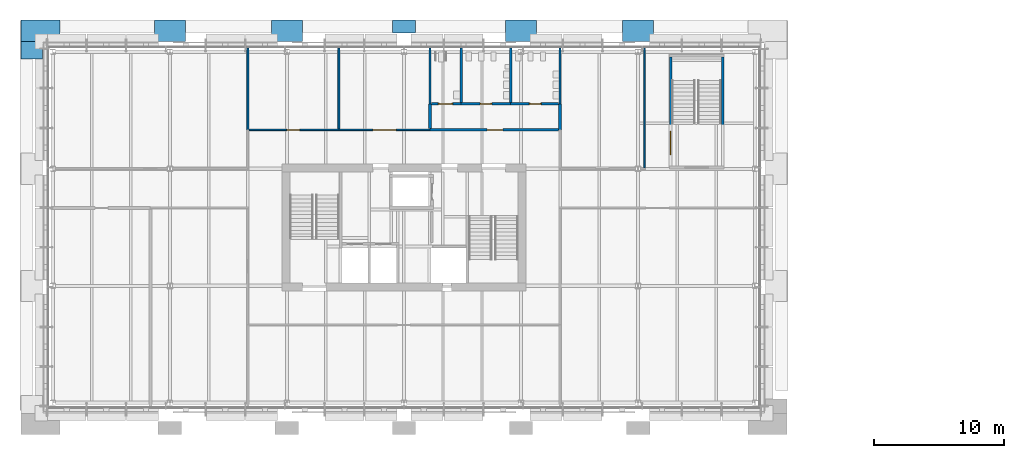
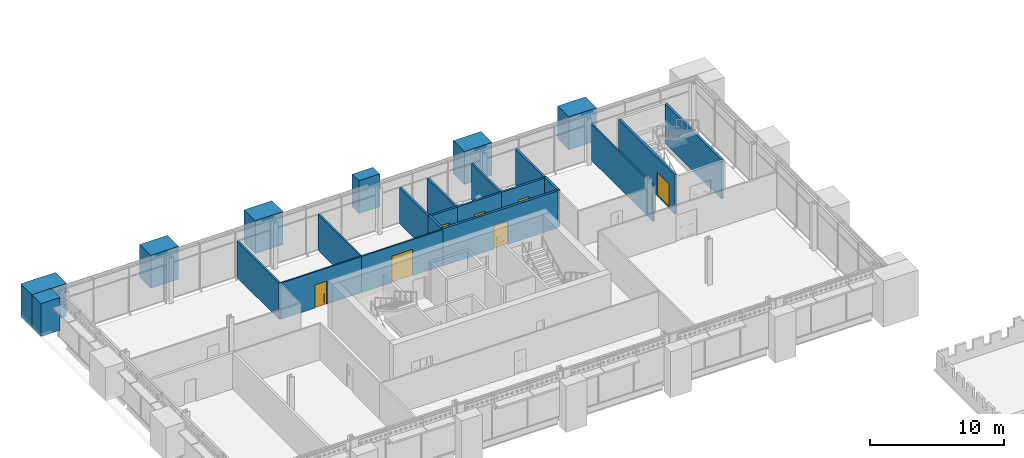
# One storey, part 113 of 153: 24 walls, 7 doors, 7 openings.
"""IFC4 building model written with IfcOpenShell, lengths in metres."""

import ifcopenshell
import ifcopenshell.guid

model = None  # the IFC model being written
_history = None  # IfcOwnerHistory: only IFC2X3 demands one
_inside = {}  # id of a spatial element -> (the spatial element, [elements in it])
_under = {}  # id of a project, library or spatial element -> (it, [spatial elements below it])
_declared = {}  # id of a project -> (the project, [libraries it declares])
_typed = {}  # id of a type object -> (the type object, [elements of that type])
_made_of = {}  # id of a material, layer set ... -> (it, [elements and type objects made of it])


def new_model(schema):
    """Start an empty IFC model of exactly this schema.

    Asked for "IFC4X3", IfcOpenShell would pick the latest addendum, in which some entities
    have other attributes; the version numbers below select the first issue.
    IFC2X3 requires an IfcOwnerHistory on every rooted entity: one is made here for all.
    """
    global model, _history
    if schema == "IFC4X3":
        model = ifcopenshell.file(schema_version=(4, 3, 0, 0))
    else:
        model = ifcopenshell.file(schema=schema)
    _inside.clear()
    _under.clear()
    _declared.clear()
    _typed.clear()
    _made_of.clear()
    _history = None
    if model.schema == "IFC2X3":
        org = make("IfcOrganization", Name="unknown")
        user = make(
            "IfcPersonAndOrganization",
            ThePerson=make("IfcPerson", FamilyName="unknown"),
            TheOrganization=org,
        )
        app = make(
            "IfcApplication",
            ApplicationDeveloper=org,
            Version="unknown",
            ApplicationFullName="unknown",
            ApplicationIdentifier="unknown",
        )
        _history = make(
            "IfcOwnerHistory",
            OwningUser=user,
            OwningApplication=app,
            ChangeAction="ADDED",
            CreationDate=0,
        )
    return model


def make(cls, **values):
    """One entity of the class cls with the attributes given. An attribute that is None is left unset."""
    return model.create_entity(
        cls, **{name: value for name, value in values.items() if value is not None}
    )


def rooted(cls, **values):
    """An entity with a GlobalId (a new one), such as an element, a storey or a relation."""
    return make(cls, GlobalId=ifcopenshell.guid.new(), OwnerHistory=_history, **values)


def si_unit(unit_type, name, prefix=None):
    """IfcSIUnit, for example si_unit("LENGTHUNIT", "METRE", prefix="MILLI")."""
    return make("IfcSIUnit", UnitType=unit_type, Prefix=prefix, Name=name)


def assignment(units):
    """IfcUnitAssignment: the units of a project."""
    return None if units is None else make("IfcUnitAssignment", Units=units)


def point(xyz):
    """IfcCartesianPoint."""
    return None if xyz is None else make("IfcCartesianPoint", Coordinates=xyz)


def direction(xyz):
    """IfcDirection."""
    return None if xyz is None else make("IfcDirection", DirectionRatios=xyz)


def frame(location, z_axis=None, x_axis=None):
    """IfcAxis2Placement3D, a coordinate frame: its origin and axes. An axis left out is left unset."""
    return make(
        "IfcAxis2Placement3D",
        Location=point(location),
        Axis=direction(z_axis),
        RefDirection=direction(x_axis),
    )


def frame_2d(location, x_axis=None):
    """IfcAxis2Placement2D, a coordinate frame in the plane: its origin and x axis."""
    return make(
        "IfcAxis2Placement2D", Location=point(location), RefDirection=direction(x_axis)
    )


def origin():
    """The frame at (0, 0, 0) with its axes left unset."""
    return frame((0.0, 0.0, 0.0))


def place(relative_to, where):
    """IfcLocalPlacement: puts the frame where relative to a parent placement (None: the world)."""
    return make(
        "IfcLocalPlacement", PlacementRelTo=relative_to, RelativePlacement=where
    )


def context(
    kind, dimensions, precision=None, world=None, true_north=None, identifier=None
):
    """IfcGeometricRepresentationContext, for example the 3D "Model" context."""
    return make(
        "IfcGeometricRepresentationContext",
        ContextIdentifier=identifier,
        ContextType=kind,
        CoordinateSpaceDimension=dimensions,
        Precision=precision,
        WorldCoordinateSystem=world,
        TrueNorth=true_north,
    )


def subcontext(parent, identifier, kind, view, scale=None):
    """IfcGeometricRepresentationSubContext, for example "Body" below "Model"."""
    return make(
        "IfcGeometricRepresentationSubContext",
        ContextIdentifier=identifier,
        ContextType=kind,
        ParentContext=parent,
        TargetScale=scale,
        TargetView=view,
    )


def project(units=None, contexts=None):
    """IfcProject with its units and contexts."""
    return rooted(
        "IfcProject",
        Name="project",
        RepresentationContexts=contexts,
        UnitsInContext=assignment(units),
    )


def spatial(cls, under=None, at=None, **own):
    """A site, building, storey or space (cls), placed at a placement, below another one or the project."""
    s = rooted(cls, ObjectPlacement=at, **own)
    if under is not None:
        _under.setdefault(under.id(), (under, []))[1].append(s)
    return s


def polyline(points):
    """IfcPolyline through the points."""
    return make("IfcPolyline", Points=[point(p) for p in points])


def profile(cls, at=None, kind="AREA", **sizes):
    """A parametric profile (cls). Its sizes go by their IFC names, for example OverallWidth=200.0."""
    return make(cls, ProfileType=kind, Position=at, **sizes)


def rectangle(**sizes):
    """IfcRectangleProfileDef."""
    return profile("IfcRectangleProfileDef", **sizes)


def outline(outer, holes=None, kind="AREA"):
    """IfcArbitraryClosedProfileDef: a profile drawn as a closed curve; with holes, ...WithVoids."""
    if holes is None:
        return make("IfcArbitraryClosedProfileDef", ProfileType=kind, OuterCurve=outer)
    return make(
        "IfcArbitraryProfileDefWithVoids",
        ProfileType=kind,
        OuterCurve=outer,
        InnerCurves=holes,
    )


def extrude(swept, where, along, depth):
    """IfcExtrudedAreaSolid: the profile swept, set in the frame where, extruded along a direction by depth."""
    return make(
        "IfcExtrudedAreaSolid",
        SweptArea=swept,
        Position=where,
        ExtrudedDirection=direction(along),
        Depth=depth,
    )


def shape(context_of_items, identifier, shape_type, items):
    """IfcShapeRepresentation: the items that make up one representation, for example the "Body"."""
    return make(
        "IfcShapeRepresentation",
        ContextOfItems=context_of_items,
        RepresentationIdentifier=identifier,
        RepresentationType=shape_type,
        Items=items,
    )


def material(Name=None, Category=None):
    """IfcMaterial."""
    return make("IfcMaterial", Name=Name, Category=Category)


def layer(
    of_material, thickness, ventilated=None, Name=None, Category=None, Priority=None
):
    """IfcMaterialLayer: one layer of a wall or slab, of a material (None: an air gap)."""
    return make(
        "IfcMaterialLayer",
        Material=of_material,
        LayerThickness=thickness,
        IsVentilated=ventilated,
        Name=Name,
        Category=Category,
        Priority=Priority,
    )


def layer_set(layers, Name=None):
    """IfcMaterialLayerSet."""
    return make("IfcMaterialLayerSet", MaterialLayers=layers, LayerSetName=Name)


def made_of(thing, what):
    """Note that an element or type object is made of a material, layer set ...; save() writes the relation."""
    if what is not None:
        _made_of.setdefault(what.id(), (what, []))[1].append(thing)
    return thing


def type_object(cls, material=None, **own):
    """A type object (cls), such as IfcWallType, which elements share."""
    return made_of(rooted(cls, **own), material)


def element(
    cls,
    number,
    at=None,
    inside=None,
    cuts=None,
    type_object=None,
    material=None,
    context=None,
    identifier="Body",
    shape_type=None,
    held_by="IfcProductDefinitionShape",
    body=None,
    shapes=None,
    **own,
):
    """One element of the class cls, such as IfcWall. Its Tag is "e" and its number.

    at: its placement. inside: the storey or other place that contains it. cuts: it is an
    opening in that element (IfcRelVoidsElement). A single representation is given by context,
    identifier, shape_type and body (its items); several are given by shapes. held_by: the class
    of the entity that holds the representations. save() writes the other relations.
    """
    e = rooted(cls, Tag="e%d" % number, ObjectPlacement=at, **own)
    if body is not None:
        shapes = [shape(context, identifier, shape_type, body)]
    if shapes is not None:
        e.Representation = make(held_by, Representations=shapes)
    if inside is not None:
        _inside.setdefault(inside.id(), (inside, []))[1].append(e)
    if cuts is not None:
        rooted(
            "IfcRelVoidsElement", RelatingBuildingElement=cuts, RelatedOpeningElement=e
        )
    if type_object is not None:
        _typed.setdefault(type_object.id(), (type_object, []))[1].append(e)
    return made_of(e, material)


def fill(opening, filler):
    """IfcRelFillsElement: the door or window that sits in an opening."""
    return rooted(
        "IfcRelFillsElement",
        RelatingOpeningElement=opening,
        RelatedBuildingElement=filler,
    )


def aggregate(whole, parts):
    """IfcRelAggregates: a whole, such as a stair, and the parts it consists of."""
    return rooted("IfcRelAggregates", RelatingObject=whole, RelatedObjects=parts)


def save(model, path):
    """Write the relations noted so far, then the file.

    IfcRelAggregates (storeys below a building ...), IfcRelContainedInSpatialStructure (elements
    in a storey), IfcRelDefinesByType, IfcRelAssociatesMaterial and IfcRelDeclares: one each for
    every whole, place, type object, material and project.
    """
    for whole, parts in _under.values():
        aggregate(whole, parts)
    for where, things in _inside.values():
        rooted(
            "IfcRelContainedInSpatialStructure",
            RelatedElements=things,
            RelatingStructure=where,
        )
    for kind, things in _typed.values():
        rooted("IfcRelDefinesByType", RelatedObjects=things, RelatingType=kind)
    for what, things in _made_of.values():
        rooted("IfcRelAssociatesMaterial", RelatedObjects=things, RelatingMaterial=what)
    for by, libraries in _declared.values():
        rooted("IfcRelDeclares", RelatingContext=by, RelatedDefinitions=libraries)
    model.write(path)


model = new_model("IFC4")

# Units and contexts
model_context = context("Model", 3, precision=1e-05, world=origin(), true_north=direction((0.0, 1.0)))
body_context = subcontext(model_context, "Body", "Model", "MODEL_VIEW")
ifc_project = project(units=[si_unit("LENGTHUNIT", "METRE"), si_unit("AREAUNIT", "SQUARE_METRE"), si_unit("VOLUMEUNIT", "CUBIC_METRE"), si_unit("PLANEANGLEUNIT", "RADIAN"), si_unit("MASSUNIT", "GRAM", prefix="KILO")], contexts=[model_context])

# Site, building, storey
site_placement = place(None, origin())
site = spatial("IfcSite", under=ifc_project, at=site_placement, CompositionType="ELEMENT")
building_placement = place(site_placement, origin())
building = spatial("IfcBuilding", under=site, at=building_placement, Name="Baradari Gate Terminus", CompositionType="ELEMENT")
storey_placement = place(building_placement, frame((0.0, 0.0, 11.699951171875)))
storey = spatial("IfcBuildingStorey", under=building, at=storey_placement, Name="L02", CompositionType="ELEMENT", Elevation=11.699951171875)

# Wall, opening, door
ifc_material_1 = material(Name="Gypsum board")
ifc_layer_1 = layer(ifc_material_1, 0.125)
ifc_layer_set_1 = layer_set([ifc_layer_1], Name="Gypsum board")
wall_type_1 = type_object("IfcWallType", Name="Corridor partition PT-5 125 EI 30", PredefinedType="PARTITIONING", material=ifc_layer_set_1)
wall_1_placement = place(storey_placement, frame((24.074951171875, 138.0, 0.0), z_axis=(0.0, 0.0, 1.0), x_axis=(1.0, 0.0, 0.0)))
wall_1 = element("IfcWall", 1, at=wall_1_placement, inside=storey, type_object=wall_type_1, Name="PT-5 partition Corridor / Duty Manager Office", PredefinedType="PARTITIONING", context=body_context, shape_type="SweptSolid", body=[
    extrude(rectangle(XDim=6.925048828125, YDim=0.125, at=frame_2d((3.46240234375, 0.0))), origin(), (0.0, 0.0, 1.0), 3.287109375),
])
opening_1_placement = place(wall_1_placement, frame((2.925048828125, 0.0, 0.0)))
opening_1 = element("IfcOpeningElement", 2, at=opening_1_placement, cuts=wall_1, Name="Opening D02-023", PredefinedType="OPENING", context=body_context, shape_type="SweptSolid", body=[
    extrude(rectangle(XDim=1.0, YDim=2.10009765625, at=frame_2d((0.5, 1.050048828125))), frame((0.0, 0.072509765625, 0.0), z_axis=(0.0, -1.0, 0.0), x_axis=(1.0, 0.0, 0.0)), (0.0, 0.0, 1.0), 0.14501953125),
])
ifc_material_2 = material(Name="Steel S275", Category="steel")
door_type_1 = type_object("IfcDoorType", Name="Fire door FI-1000-FD30S 1000x2100 FD30S", OperationType="SINGLE_SWING_LEFT", PredefinedType="DOOR", material=ifc_material_2)
door_1_placement = place(opening_1_placement, origin())
door_1 = element("IfcDoor", 3, at=door_1_placement, inside=storey, type_object=door_type_1, Name="Door Duty Manager Office", OperationType="SINGLE_SWING_LEFT", OverallHeight=2.1, OverallWidth=1.0, PredefinedType="DOOR", context=body_context, shape_type="SweptSolid", body=[
    extrude(outline(polyline([(0.0, 0.0), (0.070068359375, 0.0), (0.070068359375, 2.030029296875), (0.929931640625, 2.030029296875), (0.929931640625, 0.0), (1.0, 0.0), (1.0, 2.10009765625), (0.0, 2.10009765625), (0.0, 0.0)])), frame((0.0, 0.02490234375, 0.0), z_axis=(0.0, -1.0, 0.0), x_axis=(1.0, 0.0, 0.0)), (0.0, 0.0, 1.0), 0.050048828125),
    extrude(outline(polyline([(0.073974609375, 0.010009765625), (0.926025390625, 0.010009765625), (0.926025390625, 2.026123046875), (0.073974609375, 2.026123046875), (0.073974609375, 0.010009765625)]), holes=[polyline([(0.194091796875, 0.159912109375), (0.805908203125, 0.159912109375), (0.805908203125, 1.010009765625), (0.194091796875, 1.010009765625), (0.194091796875, 0.159912109375)]), polyline([(0.35009765625, 1.159912109375), (0.64990234375, 1.159912109375), (0.64990234375, 1.760009765625), (0.35009765625, 1.760009765625), (0.35009765625, 1.159912109375)])]), frame((0.0, 0.017333984375, 0.0), z_axis=(0.0, -1.0, 0.0), x_axis=(1.0, 0.0, 0.0)), (0.0, 0.0, 1.0), 0.034912109375),
    extrude(rectangle(XDim=0.61181640625, YDim=0.85009765625, at=frame_2d((0.5, 0.5849609375))), frame((0.0, 0.008544921875, 0.0), z_axis=(0.0, -1.0, 0.0), x_axis=(1.0, 0.0, 0.0)), (0.0, 0.0, 1.0), 0.017333984375),
    extrude(rectangle(XDim=0.2998046875, YDim=0.60009765625, at=frame_2d((0.5, 1.4599609375))), frame((0.0, 0.005859375, 0.0), z_axis=(0.0, -1.0, 0.0), x_axis=(1.0, 0.0, 0.0)), (0.0, 0.0, 1.0), 0.011962890625),
])
fill(opening_1, door_1)

wall_2_placement = place(storey_placement, frame((31.0, 138.0, 0.0), z_axis=(0.0, 0.0, 1.0), x_axis=(1.0, 0.0, 0.0)))
wall_2 = element("IfcWall", 4, at=wall_2_placement, inside=storey, type_object=wall_type_1, Name="PT-5 partition Corridor / Briefing Room", PredefinedType="PARTITIONING", context=body_context, shape_type="SweptSolid", body=[
    extrude(rectangle(XDim=7.0, YDim=0.125, at=frame_2d((3.5, 0.0))), origin(), (0.0, 0.0, 1.0), 3.287109375),
])
opening_2_placement = place(wall_2_placement, frame((2.60009765625, 0.0, 0.0)))
opening_2 = element("IfcOpeningElement", 5, at=opening_2_placement, cuts=wall_2, Name="Opening D02-024", PredefinedType="OPENING", context=body_context, shape_type="SweptSolid", body=[
    extrude(rectangle(XDim=1.800048828125, YDim=2.39990234375, at=frame_2d((0.89990234375, 1.199951171875))), frame((0.0, 0.072509765625, 0.0), z_axis=(0.0, -1.0, 0.0), x_axis=(1.0, 0.0, 0.0)), (0.0, 0.0, 1.0), 0.14501953125),
])
ifc_material_3 = material(Name="Steel S275", Category="steel")
door_type_2 = type_object("IfcDoorType", Name="Fire door FI-1800x2400-FD30S 1800x2400 FD30S", OperationType="DOUBLE_DOOR_SINGLE_SWING", PredefinedType="DOOR", material=ifc_material_3)
door_2_placement = place(opening_2_placement, origin())
door_2 = element("IfcDoor", 6, at=door_2_placement, inside=storey, type_object=door_type_2, Name="Door Briefing Room", OperationType="DOUBLE_DOOR_SINGLE_SWING", OverallHeight=2.4, OverallWidth=1.8, PredefinedType="DOOR", context=body_context, shape_type="SweptSolid", body=[
    extrude(outline(polyline([(0.0, 0.0), (0.070068359375, 0.0), (0.070068359375, 2.329833984375), (1.72998046875, 2.329833984375), (1.72998046875, 0.0), (1.800048828125, 0.0), (1.800048828125, 2.39990234375), (0.0, 2.39990234375), (0.0, 0.0)])), frame((0.0, 0.02490234375, 0.0), z_axis=(0.0, -1.0, 0.0), x_axis=(1.0, 0.0, 0.0)), (0.0, 0.0, 1.0), 0.050048828125),
    extrude(outline(polyline([(0.073974609375, 0.010009765625), (0.89697265625, 0.010009765625), (0.89697265625, 2.325927734375), (0.073974609375, 2.325927734375), (0.073974609375, 0.010009765625)]), holes=[polyline([(0.194091796875, 0.159912109375), (0.77685546875, 0.159912109375), (0.77685546875, 1.010009765625), (0.194091796875, 1.010009765625), (0.194091796875, 0.159912109375)]), polyline([(0.33544921875, 1.159912109375), (0.635498046875, 1.159912109375), (0.635498046875, 1.760009765625), (0.33544921875, 1.760009765625), (0.33544921875, 1.159912109375)])]), frame((0.0, 0.017333984375, 0.0), z_axis=(0.0, -1.0, 0.0), x_axis=(1.0, 0.0, 0.0)), (0.0, 0.0, 1.0), 0.034912109375),
    extrude(rectangle(XDim=0.582763671875, YDim=0.85009765625, at=frame_2d((0.4853515625, 0.5849609375))), frame((0.0, 0.008544921875, 0.0), z_axis=(0.0, -1.0, 0.0), x_axis=(1.0, 0.0, 0.0)), (0.0, 0.0, 1.0), 0.017333984375),
    extrude(rectangle(XDim=0.300048828125, YDim=0.60009765625, at=frame_2d((0.4853515625, 1.4599609375))), frame((0.0, 0.005859375, 0.0), z_axis=(0.0, -1.0, 0.0), x_axis=(1.0, 0.0, 0.0)), (0.0, 0.0, 1.0), 0.011962890625),
    extrude(outline(polyline([(0.903076171875, 0.010009765625), (1.72607421875, 0.010009765625), (1.72607421875, 2.325927734375), (0.903076171875, 2.325927734375), (0.903076171875, 0.010009765625)]), holes=[polyline([(1.023193359375, 0.159912109375), (1.60595703125, 0.159912109375), (1.60595703125, 1.010009765625), (1.023193359375, 1.010009765625), (1.023193359375, 0.159912109375)]), polyline([(1.16455078125, 1.159912109375), (1.464599609375, 1.159912109375), (1.464599609375, 1.760009765625), (1.16455078125, 1.760009765625), (1.16455078125, 1.159912109375)])]), frame((0.0, 0.017333984375, 0.0), z_axis=(0.0, -1.0, 0.0), x_axis=(1.0, 0.0, 0.0)), (0.0, 0.0, 1.0), 0.034912109375),
    extrude(rectangle(XDim=0.582763671875, YDim=0.85009765625, at=frame_2d((1.314453125, 0.5849609375))), frame((0.0, 0.008544921875, 0.0), z_axis=(0.0, -1.0, 0.0), x_axis=(1.0, 0.0, 0.0)), (0.0, 0.0, 1.0), 0.017333984375),
    extrude(rectangle(XDim=0.300048828125, YDim=0.60009765625, at=frame_2d((1.314453125, 1.4599609375))), frame((0.0, 0.005859375, 0.0), z_axis=(0.0, -1.0, 0.0), x_axis=(1.0, 0.0, 0.0)), (0.0, 0.0, 1.0), 0.011962890625),
])
fill(opening_2, door_2)

# Wall
wall_3_placement = place(storey_placement, frame((54.5, 135.0625, 0.0), z_axis=(0.0, 0.0, 1.0), x_axis=(0.0, 1.0, 0.0)))
element("IfcWall", 7, at=wall_3_placement, inside=storey, type_object=wall_type_1, Name="PT-5 partition Corridor (Stair Passage) / Tea Point", PredefinedType="PARTITIONING", context=body_context, shape_type="SweptSolid", body=[
    extrude(rectangle(XDim=9.232421875, YDim=0.125, at=frame_2d((4.6162109375, 0.0))), origin(), (0.0, 0.0, 1.0), 3.287109375),
])

# Wall, opening, door
ifc_material_4 = material(Name="Blockwork wall, plastered, fire rated", Category="masonry")
ifc_layer_2 = layer(ifc_material_4, 0.199951171875)
ifc_layer_set_2 = layer_set([ifc_layer_2], Name="Blockwork wall, plastered, fire rated")
wall_type_2 = type_object("IfcWallType", Name="Lobby partition PT-4 200 EI 60", PredefinedType="PARTITIONING", material=ifc_layer_set_2)
wall_4_placement = place(storey_placement, frame((38.0, 138.0, 0.0), z_axis=(0.0, 0.0, 1.0), x_axis=(1.0, 0.0, 0.0)))
wall_4 = element("IfcWall", 8, at=wall_4_placement, inside=storey, type_object=wall_type_2, Name="PT-4 partition Corridor / WC Lobby", PredefinedType="PARTITIONING", context=body_context, shape_type="SweptSolid", body=[
    extrude(rectangle(XDim=9.89990234375, YDim=0.199951171875, at=frame_2d((4.949951171875, 0.0))), origin(), (0.0, 0.0, 1.0), 3.382080078125),
])
opening_3_placement = place(wall_4_placement, frame((4.39990234375, 0.0, 0.0)))
opening_3 = element("IfcOpeningElement", 9, at=opening_3_placement, cuts=wall_4, Name="Opening D02-015", PredefinedType="OPENING", context=body_context, shape_type="SweptSolid", body=[
    extrude(rectangle(XDim=1.199951171875, YDim=2.10009765625, at=frame_2d((0.60009765625, 1.050048828125))), frame((0.0, 0.10986328125, 0.0), z_axis=(0.0, -1.0, 0.0), x_axis=(1.0, 0.0, 0.0)), (0.0, 0.0, 1.0), 0.219970703125),
])
ifc_material_5 = material(Name="Steel S275", Category="steel")
door_type_3 = type_object("IfcDoorType", Name="Fire door FI-1200-FD60S 1200x2100 FD60S", OperationType="DOUBLE_DOOR_SINGLE_SWING", PredefinedType="DOOR", material=ifc_material_5)
door_3_placement = place(opening_3_placement, origin())
door_3 = element("IfcDoor", 10, at=door_3_placement, inside=storey, type_object=door_type_3, Name="Door WC Lobby", OperationType="DOUBLE_DOOR_SINGLE_SWING", OverallHeight=2.1, OverallWidth=1.2, PredefinedType="DOOR", context=body_context, shape_type="SweptSolid", body=[
    extrude(outline(polyline([(0.0, 0.0), (0.070068359375, 0.0), (0.070068359375, 2.030029296875), (1.1298828125, 2.030029296875), (1.1298828125, 0.0), (1.199951171875, 0.0), (1.199951171875, 2.10009765625), (0.0, 2.10009765625), (0.0, 0.0)])), frame((0.0, 0.02490234375, 0.0), z_axis=(0.0, -1.0, 0.0), x_axis=(1.0, 0.0, 0.0)), (0.0, 0.0, 1.0), 0.050048828125),
    extrude(outline(polyline([(0.073974609375, 0.010009765625), (0.596923828125, 0.010009765625), (0.596923828125, 2.026123046875), (0.073974609375, 2.026123046875), (0.073974609375, 0.010009765625)]), holes=[polyline([(0.178466796875, 0.372802734375), (0.492431640625, 0.372802734375), (0.492431640625, 1.7841796875), (0.178466796875, 1.7841796875), (0.178466796875, 0.372802734375)])]), frame((0.0, 0.017333984375, 0.0), z_axis=(0.0, -1.0, 0.0), x_axis=(1.0, 0.0, 0.0)), (0.0, 0.0, 1.0), 0.034912109375),
    extrude(rectangle(XDim=0.31396484375, YDim=1.411376953125, at=frame_2d((0.33544921875, 1.07861328125))), frame((0.0, 0.008544921875, 0.0), z_axis=(0.0, -1.0, 0.0), x_axis=(1.0, 0.0, 0.0)), (0.0, 0.0, 1.0), 0.017333984375),
    extrude(outline(polyline([(0.60302734375, 0.010009765625), (1.1259765625, 0.010009765625), (1.1259765625, 2.026123046875), (0.60302734375, 2.026123046875), (0.60302734375, 0.010009765625)]), holes=[polyline([(0.70751953125, 0.372802734375), (1.021484375, 0.372802734375), (1.021484375, 1.7841796875), (0.70751953125, 1.7841796875), (0.70751953125, 0.372802734375)])]), frame((0.0, 0.017333984375, 0.0), z_axis=(0.0, -1.0, 0.0), x_axis=(1.0, 0.0, 0.0)), (0.0, 0.0, 1.0), 0.034912109375),
    extrude(rectangle(XDim=0.31396484375, YDim=1.411376953125, at=frame_2d((0.864501953125, 1.07861328125))), frame((0.0, 0.008544921875, 0.0), z_axis=(0.0, -1.0, 0.0), x_axis=(1.0, 0.0, 0.0)), (0.0, 0.0, 1.0), 0.017333984375),
])
fill(opening_3, door_3)

# Walls
wall_5_placement = place(storey_placement, frame((48.0, 140.0, 0.0), z_axis=(0.0, 0.0, 1.0), x_axis=(0.0, -1.0, 0.0)))
element("IfcWall", 11, at=wall_5_placement, inside=storey, type_object=wall_type_2, Name="PT-4 partition WC Lobby / Tea Point", PredefinedType="PARTITIONING", context=body_context, shape_type="SweptSolid", body=[
    extrude(rectangle(XDim=2.0, YDim=0.199951171875, at=frame_2d((1.0, 0.0))), origin(), (0.0, 0.0, 1.0), 3.382080078125),
])
wall_6_placement = place(storey_placement, frame((38.0, 138.10009765625, 0.0), z_axis=(0.0, 0.0, 1.0), x_axis=(0.0, 1.0, 0.0)))
element("IfcWall", 12, at=wall_6_placement, inside=storey, type_object=wall_type_2, Name="PT-4 partition WC Lobby / Briefing Room", PredefinedType="PARTITIONING", context=body_context, shape_type="SweptSolid", body=[
    extrude(rectangle(XDim=1.89990234375, YDim=0.199951171875, at=frame_2d((0.949951171875, 0.0))), origin(), (0.0, 0.0, 1.0), 3.382080078125),
])
ifc_material_6 = material(Name="Blockwork wall, plastered", Category="masonry")
ifc_layer_3 = layer(ifc_material_6, 0.14990234375)
ifc_layer_set_3 = layer_set([ifc_layer_3], Name="Blockwork wall, plastered")
wall_type_3 = type_object("IfcWallType", Name="Partition PT-2 150 EI 60", PredefinedType="PARTITIONING", material=ifc_layer_set_3)
wall_7_placement = place(storey_placement, frame((24.0, 144.294921875, 0.0), z_axis=(0.0, 0.0, 1.0), x_axis=(0.0, -1.0, 0.0)))
element("IfcWall", 13, at=wall_7_placement, inside=storey, type_object=wall_type_3, Name="PT-2 partition Operations Control Room / Duty Manager Office", PredefinedType="PARTITIONING", context=body_context, shape_type="SweptSolid", body=[
    extrude(rectangle(XDim=6.294921875, YDim=0.14990234375, at=frame_2d((3.1474609375, 0.0))), origin(), (0.0, 0.0, 1.0), 3.30712890625),
])
wall_8_placement = place(storey_placement, frame((31.0, 144.294921875, 0.0), z_axis=(0.0, 0.0, 1.0), x_axis=(0.0, -1.0, 0.0)))
element("IfcWall", 14, at=wall_8_placement, inside=storey, type_object=wall_type_3, Name="PT-2 partition Duty Manager Office / Briefing Room", PredefinedType="PARTITIONING", context=body_context, shape_type="SweptSolid", body=[
    extrude(rectangle(XDim=6.232421875, YDim=0.14990234375, at=frame_2d((3.1162109375, 0.0))), origin(), (0.0, 0.0, 1.0), 3.30712890625),
])
ifc_material_7 = material(Name="Concrete C40/50 precast", Category="concrete")
ifc_layer_4 = layer(ifc_material_7, 1.55)
ifc_material_8 = material(Name="Sandstone cladding", Category="masonry")
ifc_layer_5 = layer(ifc_material_8, 0.1)
ifc_layer_set_4 = layer_set([ifc_layer_4, ifc_layer_5], Name="Concrete C40/50 precast")
wall_type_4 = type_object("IfcWallType", Name="Sandstone-faced precast frame pier WQ-4 1650", PredefinedType="SOLIDWALL", material=ifc_layer_set_4)
for number, where, z_axis, x_axis, name in (
    (15, (16.800048828125, 145.6201171875, 1.199951171875), (0.0, 0.0, 1.0), (1.0, 0.0, 0.0), "Frame pier N face bay 1 a L02"),
    (16, (25.800048828125, 145.6201171875, 1.199951171875), (0.0, 0.0, 1.0), (1.0, 0.0, 0.0), "Frame pier N face bay 1 b L02"),
    (17, (43.800048828125, 145.6201171875, 1.199951171875), (0.0, 0.0, 1.0), (1.0, 0.0, 0.0), "Frame pier N face bay 2 a L02"),
    (18, (52.800048828125, 145.6201171875, 1.199951171875), (0.0, 0.0, 1.0), (1.0, 0.0, 0.0), "Frame pier N face bay 2 b L02"),
):
    element("IfcWall", number, at=place(storey_placement, frame(where, z_axis=z_axis, x_axis=x_axis)), inside=storey, type_object=wall_type_4, Name=name, PredefinedType="SOLIDWALL", context=body_context, shape_type="SweptSolid", body=[
        extrude(rectangle(XDim=2.39990234375, YDim=1.64990234375, at=frame_2d((1.199951171875, 0.0))), origin(), (0.0, 0.0, 1.0), 3.0),
    ])
wall_9_placement = place(storey_placement, frame((6.554931640625, 145.6201171875, 1.199951171875), z_axis=(0.0, 0.0, 1.0), x_axis=(1.0, 0.0, 0.0)))
element("IfcWall", 19, at=wall_9_placement, inside=storey, type_object=wall_type_4, Name="Corner pilaster NW leg A L02", PredefinedType="SOLIDWALL", context=body_context, shape_type="SweptSolid", body=[
    extrude(rectangle(XDim=3.0, YDim=1.64990234375, at=frame_2d((1.5, 0.0))), origin(), (0.0, 0.0, 1.0), 3.0),
])
wall_10_placement = place(storey_placement, frame((7.3798828125, 143.445068359375, 1.199951171875), z_axis=(0.0, 0.0, 1.0), x_axis=(0.0, 1.0, 0.0)))
element("IfcWall", 20, at=wall_10_placement, inside=storey, type_object=wall_type_4, Name="Corner pilaster NW leg B L02", PredefinedType="SOLIDWALL", context=body_context, shape_type="SweptSolid", body=[
    extrude(rectangle(XDim=1.349853515625, YDim=1.64990234375, at=frame_2d((0.6748046875, 0.0))), origin(), (0.0, 0.0, 1.0), 3.0),
])
ifc_layer_6 = layer(ifc_material_7, 0.9)
ifc_layer_7 = layer(ifc_material_8, 0.1)
ifc_layer_set_5 = layer_set([ifc_layer_6, ifc_layer_7], Name="Concrete C40/50 precast")
wall_type_5 = type_object("IfcWallType", Name="Sandstone-faced precast grid pier WQ-6 1000", PredefinedType="SOLIDWALL", material=ifc_layer_set_5)
wall_11_placement = place(storey_placement, frame((35.10009765625, 145.945068359375, 1.199951171875), z_axis=(0.0, 0.0, 1.0), x_axis=(1.0, 0.0, 0.0)))
element("IfcWall", 21, at=wall_11_placement, inside=storey, type_object=wall_type_5, Name="Grid pier N face grid 36 L02", PredefinedType="SOLIDWALL", context=body_context, shape_type="SweptSolid", body=[
    extrude(rectangle(XDim=1.7998046875, YDim=1.0, at=frame_2d((0.89990234375, 0.0))), origin(), (0.0, 0.0, 1.0), 3.0),
])

# Wall, opening, door
ifc_material_9 = material(Name="Concrete C40/50", Category="concrete")
ifc_layer_8 = layer(ifc_material_9, 0.199951171875)
ifc_layer_set_6 = layer_set([ifc_layer_8], Name="Concrete C40/50")
wall_type_6 = type_object("IfcWallType", Name="Stair enclosure wall SE-2 200 EI 120", PredefinedType="SOLIDWALL", material=ifc_layer_set_6)
wall_12_placement = place(storey_placement, frame((56.5, 135.199951171875, -0.1298828125), z_axis=(0.0, 0.0, 1.0), x_axis=(0.0, 1.0, 0.0)))
wall_12 = element("IfcWall", 22, at=wall_12_placement, inside=storey, type_object=wall_type_6, Name="Stair enclosure wall SE-2 ST-T3 L02 W", PredefinedType="SOLIDWALL", context=body_context, shape_type="SweptSolid", body=[
    extrude(rectangle(XDim=8.400146484375, YDim=0.199951171875, at=frame_2d((4.2001953125, 0.0))), origin(), (0.0, 0.0, 1.0), 3.5869140625),
])
opening_4_placement = place(wall_12_placement, frame((0.89990234375, 0.0, 0.1298828125)))
opening_4 = element("IfcOpeningElement", 23, at=opening_4_placement, cuts=wall_12, Name="Opening D02-013", PredefinedType="OPENING", context=body_context, shape_type="SweptSolid", body=[
    extrude(rectangle(XDim=1.800048828125, YDim=2.10009765625, at=frame_2d((0.89990234375, 1.050048828125))), frame((0.0, 0.10986328125, 0.0), z_axis=(0.0, -1.0, 0.0), x_axis=(1.0, 0.0, 0.0)), (0.0, 0.0, 1.0), 0.219970703125),
])
ifc_material_10 = material(Name="Steel S275", Category="steel")
door_type_4 = type_object("IfcDoorType", Name="Fire door FI-1800-FD90S 1800x2100 FD90S", OperationType="DOUBLE_DOOR_SINGLE_SWING", PredefinedType="DOOR", material=ifc_material_10)
door_4_placement = place(opening_4_placement, frame((1.800048828125, 0.0, 0.0), z_axis=(0.0, 0.0, 1.0), x_axis=(-1.0, 0.0, 0.0)))
door_4 = element("IfcDoor", 24, at=door_4_placement, inside=storey, type_object=door_type_4, Name="Door Stair (East Core)", OperationType="DOUBLE_DOOR_SINGLE_SWING", OverallHeight=2.1, OverallWidth=1.8, PredefinedType="DOOR", context=body_context, shape_type="SweptSolid", body=[
    extrude(outline(polyline([(0.0, 0.0), (0.070068359375, 0.0), (0.070068359375, 2.030029296875), (1.72998046875, 2.030029296875), (1.72998046875, 0.0), (1.800048828125, 0.0), (1.800048828125, 2.10009765625), (0.0, 2.10009765625), (0.0, 0.0)])), frame((0.0, 0.02490234375, 0.0), z_axis=(0.0, -1.0, 0.0), x_axis=(1.0, 0.0, 0.0)), (0.0, 0.0, 1.0), 0.050048828125),
    extrude(outline(polyline([(0.073974609375, 0.010009765625), (0.89697265625, 0.010009765625), (0.89697265625, 2.026123046875), (0.073974609375, 2.026123046875), (0.073974609375, 0.010009765625)]), holes=[polyline([(0.194091796875, 0.159912109375), (0.77685546875, 0.159912109375), (0.77685546875, 1.010009765625), (0.194091796875, 1.010009765625), (0.194091796875, 0.159912109375)]), polyline([(0.33544921875, 1.159912109375), (0.635498046875, 1.159912109375), (0.635498046875, 1.760009765625), (0.33544921875, 1.760009765625), (0.33544921875, 1.159912109375)])]), frame((0.0, 0.017333984375, 0.0), z_axis=(0.0, -1.0, 0.0), x_axis=(1.0, 0.0, 0.0)), (0.0, 0.0, 1.0), 0.034912109375),
    extrude(rectangle(XDim=0.582763671875, YDim=0.85009765625, at=frame_2d((0.4853515625, 0.5849609375))), frame((0.0, 0.008544921875, 0.0), z_axis=(0.0, -1.0, 0.0), x_axis=(1.0, 0.0, 0.0)), (0.0, 0.0, 1.0), 0.017333984375),
    extrude(rectangle(XDim=0.300048828125, YDim=0.60009765625, at=frame_2d((0.4853515625, 1.4599609375))), frame((0.0, 0.005859375, 0.0), z_axis=(0.0, -1.0, 0.0), x_axis=(1.0, 0.0, 0.0)), (0.0, 0.0, 1.0), 0.011962890625),
    extrude(outline(polyline([(0.903076171875, 0.010009765625), (1.72607421875, 0.010009765625), (1.72607421875, 2.026123046875), (0.903076171875, 2.026123046875), (0.903076171875, 0.010009765625)]), holes=[polyline([(1.023193359375, 0.159912109375), (1.60595703125, 0.159912109375), (1.60595703125, 1.010009765625), (1.023193359375, 1.010009765625), (1.023193359375, 0.159912109375)]), polyline([(1.16455078125, 1.159912109375), (1.464599609375, 1.159912109375), (1.464599609375, 1.760009765625), (1.16455078125, 1.760009765625), (1.16455078125, 1.159912109375)])]), frame((0.0, 0.017333984375, 0.0), z_axis=(0.0, -1.0, 0.0), x_axis=(1.0, 0.0, 0.0)), (0.0, 0.0, 1.0), 0.034912109375),
    extrude(rectangle(XDim=0.582763671875, YDim=0.85009765625, at=frame_2d((1.314453125, 0.5849609375))), frame((0.0, 0.008544921875, 0.0), z_axis=(0.0, -1.0, 0.0), x_axis=(1.0, 0.0, 0.0)), (0.0, 0.0, 1.0), 0.017333984375),
    extrude(rectangle(XDim=0.300048828125, YDim=0.60009765625, at=frame_2d((1.314453125, 1.4599609375))), frame((0.0, 0.005859375, 0.0), z_axis=(0.0, -1.0, 0.0), x_axis=(1.0, 0.0, 0.0)), (0.0, 0.0, 1.0), 0.011962890625),
])
fill(opening_4, door_4)

# Wall
wall_13_placement = place(storey_placement, frame((60.5, 135.199951171875, -0.1298828125), z_axis=(0.0, 0.0, 1.0), x_axis=(0.0, 1.0, 0.0)))
element("IfcWall", 25, at=wall_13_placement, inside=storey, type_object=wall_type_6, Name="Stair enclosure wall SE-2 ST-T3 L02 E", PredefinedType="SOLIDWALL", context=body_context, shape_type="SweptSolid", body=[
    extrude(rectangle(XDim=8.400146484375, YDim=0.199951171875, at=frame_2d((4.2001953125, 0.0))), origin(), (0.0, 0.0, 1.0), 3.5869140625),
])

# Wall, opening, door
ifc_material_11 = material(Name="Blockwork wall, tiled both faces", Category="masonry")
ifc_layer_9 = layer(ifc_material_11, 0.175048828125)
ifc_layer_set_7 = layer_set([ifc_layer_9], Name="Blockwork wall, tiled both faces")
wall_type_7 = type_object("IfcWallType", Name="WC wet wall PT-6 175 EI 60", PredefinedType="PARTITIONING", material=ifc_layer_set_7)
wall_14_placement = place(storey_placement, frame((38.10009765625, 140.0, 0.0), z_axis=(0.0, 0.0, 1.0), x_axis=(1.0, 0.0, 0.0)))
wall_14 = element("IfcWall", 26, at=wall_14_placement, inside=storey, type_object=wall_type_7, Name="PT-6 partition WC Lobby / Accessible WC", PredefinedType="PARTITIONING", context=body_context, shape_type="SweptSolid", body=[
    extrude(rectangle(XDim=2.2998046875, YDim=0.175048828125, at=frame_2d((1.14990234375, 0.0))), origin(), (0.0, 0.0, 1.0), 3.30712890625),
])
opening_5_placement = place(wall_14_placement, frame((0.550048828125, 0.0, 0.0)))
opening_5 = element("IfcOpeningElement", 27, at=opening_5_placement, cuts=wall_14, Name="Opening D02-016", PredefinedType="OPENING", context=body_context, shape_type="SweptSolid", body=[
    extrude(rectangle(XDim=1.10009765625, YDim=2.10009765625, at=frame_2d((0.550048828125, 1.050048828125))), frame((0.0, 0.097412109375, 0.0), z_axis=(0.0, -1.0, 0.0), x_axis=(1.0, 0.0, 0.0)), (0.0, 0.0, 1.0), 0.195068359375),
])
ifc_material_12 = material(Name="Steel S275", Category="steel")
door_type_5 = type_object("IfcDoorType", Name="Fire door FI-1100-FD60S 1100x2100 FD60S", OperationType="SINGLE_SWING_LEFT", PredefinedType="DOOR", material=ifc_material_12)
door_5_placement = place(opening_5_placement, origin())
door_5 = element("IfcDoor", 28, at=door_5_placement, inside=storey, type_object=door_type_5, Name="Door Accessible WC", OperationType="SINGLE_SWING_LEFT", OverallHeight=2.1, OverallWidth=1.1, PredefinedType="DOOR", context=body_context, shape_type="SweptSolid", body=[
    extrude(outline(polyline([(0.0, 0.0), (0.070068359375, 0.0), (0.070068359375, 2.030029296875), (1.030029296875, 2.030029296875), (1.030029296875, 0.0), (1.10009765625, 0.0), (1.10009765625, 2.10009765625), (0.0, 2.10009765625), (0.0, 0.0)])), frame((0.0, 0.02490234375, 0.0), z_axis=(0.0, -1.0, 0.0), x_axis=(1.0, 0.0, 0.0)), (0.0, 0.0, 1.0), 0.050048828125),
    extrude(outline(polyline([(0.073974609375, 0.010009765625), (1.026123046875, 0.010009765625), (1.026123046875, 2.026123046875), (0.073974609375, 2.026123046875), (0.073974609375, 0.010009765625)]), holes=[polyline([(0.194091796875, 0.159912109375), (0.906005859375, 0.159912109375), (0.906005859375, 1.010009765625), (0.194091796875, 1.010009765625), (0.194091796875, 0.159912109375)]), polyline([(0.400146484375, 1.159912109375), (0.699951171875, 1.159912109375), (0.699951171875, 1.760009765625), (0.400146484375, 1.760009765625), (0.400146484375, 1.159912109375)])]), frame((0.0, 0.017333984375, 0.0), z_axis=(0.0, -1.0, 0.0), x_axis=(1.0, 0.0, 0.0)), (0.0, 0.0, 1.0), 0.034912109375),
    extrude(rectangle(XDim=0.7119140625, YDim=0.85009765625, at=frame_2d((0.550048828125, 0.5849609375))), frame((0.0, 0.008544921875, 0.0), z_axis=(0.0, -1.0, 0.0), x_axis=(1.0, 0.0, 0.0)), (0.0, 0.0, 1.0), 0.017333984375),
    extrude(rectangle(XDim=0.2998046875, YDim=0.60009765625, at=frame_2d((0.550048828125, 1.4599609375))), frame((0.0, 0.005859375, 0.0), z_axis=(0.0, -1.0, 0.0), x_axis=(1.0, 0.0, 0.0)), (0.0, 0.0, 1.0), 0.011962890625),
])
fill(opening_5, door_5)

wall_15_placement = place(storey_placement, frame((40.39990234375, 140.0, 0.0), z_axis=(0.0, 0.0, 1.0), x_axis=(1.0, 0.0, 0.0)))
wall_15 = element("IfcWall", 29, at=wall_15_placement, inside=storey, type_object=wall_type_7, Name="PT-6 partition WC Lobby / Male WC", PredefinedType="PARTITIONING", context=body_context, shape_type="SweptSolid", body=[
    extrude(rectangle(XDim=3.800048828125, YDim=0.175048828125, at=frame_2d((1.89990234375, 0.0))), origin(), (0.0, 0.0, 1.0), 3.30712890625),
])
opening_6_placement = place(wall_15_placement, frame((1.449951171875, 0.0, 0.0)))
opening_6 = element("IfcOpeningElement", 30, at=opening_6_placement, cuts=wall_15, Name="Opening D02-017", PredefinedType="OPENING", context=body_context, shape_type="SweptSolid", body=[
    extrude(rectangle(XDim=0.89990234375, YDim=2.10009765625, at=frame_2d((0.449951171875, 1.050048828125))), frame((0.0, 0.097412109375, 0.0), z_axis=(0.0, -1.0, 0.0), x_axis=(1.0, 0.0, 0.0)), (0.0, 0.0, 1.0), 0.195068359375),
])
ifc_material_13 = material(Name="Steel S275", Category="steel")
door_type_6 = type_object("IfcDoorType", Name="Fire door FI-900-FD60S 900x2100 FD60S", OperationType="SINGLE_SWING_LEFT", PredefinedType="DOOR", material=ifc_material_13)
door_6_placement = place(opening_6_placement, origin())
door_6 = element("IfcDoor", 31, at=door_6_placement, inside=storey, type_object=door_type_6, Name="Door Male WC", OperationType="SINGLE_SWING_LEFT", OverallHeight=2.1, OverallWidth=0.9, PredefinedType="DOOR", context=body_context, shape_type="SweptSolid", body=[
    extrude(outline(polyline([(0.0, 0.0), (0.070068359375, 0.0), (0.070068359375, 2.030029296875), (0.829833984375, 2.030029296875), (0.829833984375, 0.0), (0.89990234375, 0.0), (0.89990234375, 2.10009765625), (0.0, 2.10009765625), (0.0, 0.0)])), frame((0.0, 0.02490234375, 0.0), z_axis=(0.0, -1.0, 0.0), x_axis=(1.0, 0.0, 0.0)), (0.0, 0.0, 1.0), 0.050048828125),
    extrude(outline(polyline([(0.073974609375, 0.010009765625), (0.825927734375, 0.010009765625), (0.825927734375, 2.026123046875), (0.073974609375, 2.026123046875), (0.073974609375, 0.010009765625)]), holes=[polyline([(0.194091796875, 0.159912109375), (0.705810546875, 0.159912109375), (0.705810546875, 1.010009765625), (0.194091796875, 1.010009765625), (0.194091796875, 0.159912109375)]), polyline([(0.300048828125, 1.159912109375), (0.599853515625, 1.159912109375), (0.599853515625, 1.760009765625), (0.300048828125, 1.760009765625), (0.300048828125, 1.159912109375)])]), frame((0.0, 0.017333984375, 0.0), z_axis=(0.0, -1.0, 0.0), x_axis=(1.0, 0.0, 0.0)), (0.0, 0.0, 1.0), 0.034912109375),
    extrude(rectangle(XDim=0.51171875, YDim=0.85009765625, at=frame_2d((0.449951171875, 0.5849609375))), frame((0.0, 0.008544921875, 0.0), z_axis=(0.0, -1.0, 0.0), x_axis=(1.0, 0.0, 0.0)), (0.0, 0.0, 1.0), 0.017333984375),
    extrude(rectangle(XDim=0.2998046875, YDim=0.60009765625, at=frame_2d((0.449951171875, 1.4599609375))), frame((0.0, 0.005859375, 0.0), z_axis=(0.0, -1.0, 0.0), x_axis=(1.0, 0.0, 0.0)), (0.0, 0.0, 1.0), 0.011962890625),
])
fill(opening_6, door_6)

wall_16_placement = place(storey_placement, frame((44.199951171875, 140.0, 0.0), z_axis=(0.0, 0.0, 1.0), x_axis=(1.0, 0.0, 0.0)))
wall_16 = element("IfcWall", 32, at=wall_16_placement, inside=storey, type_object=wall_type_7, Name="PT-6 partition WC Lobby / Female WC", PredefinedType="PARTITIONING", context=body_context, shape_type="SweptSolid", body=[
    extrude(rectangle(XDim=3.699951171875, YDim=0.175048828125, at=frame_2d((1.85009765625, 0.0))), origin(), (0.0, 0.0, 1.0), 3.30712890625),
])
opening_7_placement = place(wall_16_placement, frame((1.449951171875, 0.0, 0.0)))
opening_7 = element("IfcOpeningElement", 33, at=opening_7_placement, cuts=wall_16, Name="Opening D02-018", PredefinedType="OPENING", context=body_context, shape_type="SweptSolid", body=[
    extrude(rectangle(XDim=0.89990234375, YDim=2.10009765625, at=frame_2d((0.449951171875, 1.050048828125))), frame((0.0, 0.097412109375, 0.0), z_axis=(0.0, -1.0, 0.0), x_axis=(1.0, 0.0, 0.0)), (0.0, 0.0, 1.0), 0.195068359375),
])
door_7_placement = place(opening_7_placement, origin())
door_7 = element("IfcDoor", 34, at=door_7_placement, inside=storey, type_object=door_type_6, Name="Door Female WC", OperationType="SINGLE_SWING_LEFT", OverallHeight=2.1, OverallWidth=0.9, PredefinedType="DOOR", context=body_context, shape_type="SweptSolid", body=[
    extrude(outline(polyline([(0.0, 0.0), (0.070068359375, 0.0), (0.070068359375, 2.030029296875), (0.829833984375, 2.030029296875), (0.829833984375, 0.0), (0.89990234375, 0.0), (0.89990234375, 2.10009765625), (0.0, 2.10009765625), (0.0, 0.0)])), frame((0.0, 0.02490234375, 0.0), z_axis=(0.0, -1.0, 0.0), x_axis=(1.0, 0.0, 0.0)), (0.0, 0.0, 1.0), 0.050048828125),
    extrude(outline(polyline([(0.073974609375, 0.010009765625), (0.825927734375, 0.010009765625), (0.825927734375, 2.026123046875), (0.073974609375, 2.026123046875), (0.073974609375, 0.010009765625)]), holes=[polyline([(0.194091796875, 0.159912109375), (0.705810546875, 0.159912109375), (0.705810546875, 1.010009765625), (0.194091796875, 1.010009765625), (0.194091796875, 0.159912109375)]), polyline([(0.300048828125, 1.159912109375), (0.599853515625, 1.159912109375), (0.599853515625, 1.760009765625), (0.300048828125, 1.760009765625), (0.300048828125, 1.159912109375)])]), frame((0.0, 0.017333984375, 0.0), z_axis=(0.0, -1.0, 0.0), x_axis=(1.0, 0.0, 0.0)), (0.0, 0.0, 1.0), 0.034912109375),
    extrude(rectangle(XDim=0.51171875, YDim=0.85009765625, at=frame_2d((0.449951171875, 0.5849609375))), frame((0.0, 0.008544921875, 0.0), z_axis=(0.0, -1.0, 0.0), x_axis=(1.0, 0.0, 0.0)), (0.0, 0.0, 1.0), 0.017333984375),
    extrude(rectangle(XDim=0.2998046875, YDim=0.60009765625, at=frame_2d((0.449951171875, 1.4599609375))), frame((0.0, 0.005859375, 0.0), z_axis=(0.0, -1.0, 0.0), x_axis=(1.0, 0.0, 0.0)), (0.0, 0.0, 1.0), 0.011962890625),
])
fill(opening_7, door_7)

# Walls
wall_17_placement = place(storey_placement, frame((38.0, 140.0, 0.0), z_axis=(0.0, 0.0, 1.0), x_axis=(0.0, 1.0, 0.0)))
element("IfcWall", 35, at=wall_17_placement, inside=storey, type_object=wall_type_7, Name="PT-6 partition Accessible WC / Briefing Room", PredefinedType="PARTITIONING", context=body_context, shape_type="SweptSolid", body=[
    extrude(rectangle(XDim=4.294921875, YDim=0.175048828125, at=frame_2d((2.1474609375, 0.0))), origin(), (0.0, 0.0, 1.0), 3.30712890625),
])
for number, where, z_axis, x_axis, name in (
    (36, (40.39990234375, 144.294921875, 0.0), (0.0, 0.0, 1.0), (0.0, -1.0, 0.0), "PT-6 partition Accessible WC / Male WC"),
    (37, (44.199951171875, 144.294921875, 0.0), (0.0, 0.0, 1.0), (0.0, -1.0, 0.0), "PT-6 partition Male WC / Female WC"),
):
    element("IfcWall", number, at=place(storey_placement, frame(where, z_axis=z_axis, x_axis=x_axis)), inside=storey, type_object=wall_type_7, Name=name, PredefinedType="PARTITIONING", context=body_context, shape_type="SweptSolid", body=[
        extrude(rectangle(XDim=4.20751953125, YDim=0.175048828125, at=frame_2d((2.103759765625, 0.0))), origin(), (0.0, 0.0, 1.0), 3.30712890625),
    ])
wall_18_placement = place(storey_placement, frame((48.0, 144.294921875, 0.0), z_axis=(0.0, 0.0, 1.0), x_axis=(0.0, -1.0, 0.0)))
element("IfcWall", 38, at=wall_18_placement, inside=storey, type_object=wall_type_7, Name="PT-6 partition Female WC / Tea Point", PredefinedType="PARTITIONING", context=body_context, shape_type="SweptSolid", body=[
    extrude(rectangle(XDim=4.294921875, YDim=0.175048828125, at=frame_2d((2.1474609375, 0.0))), origin(), (0.0, 0.0, 1.0), 3.30712890625),
])

save(model, "model.ifc")
